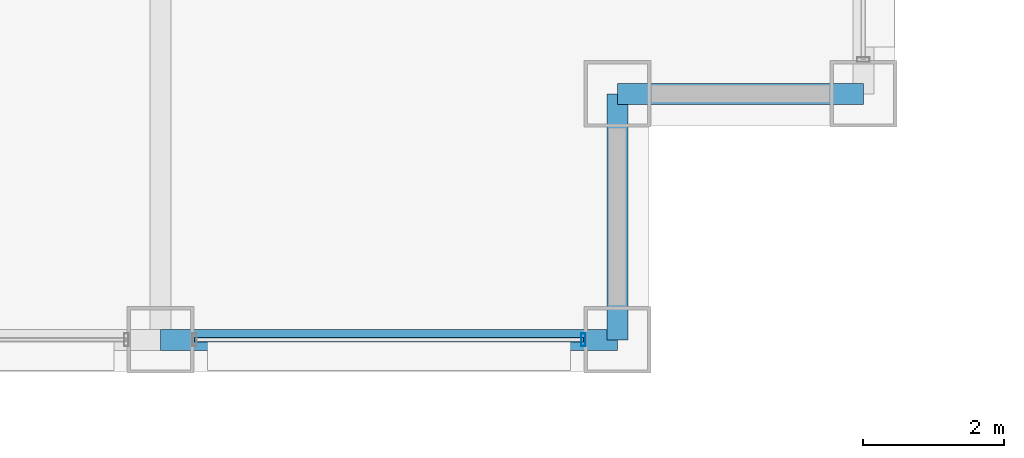
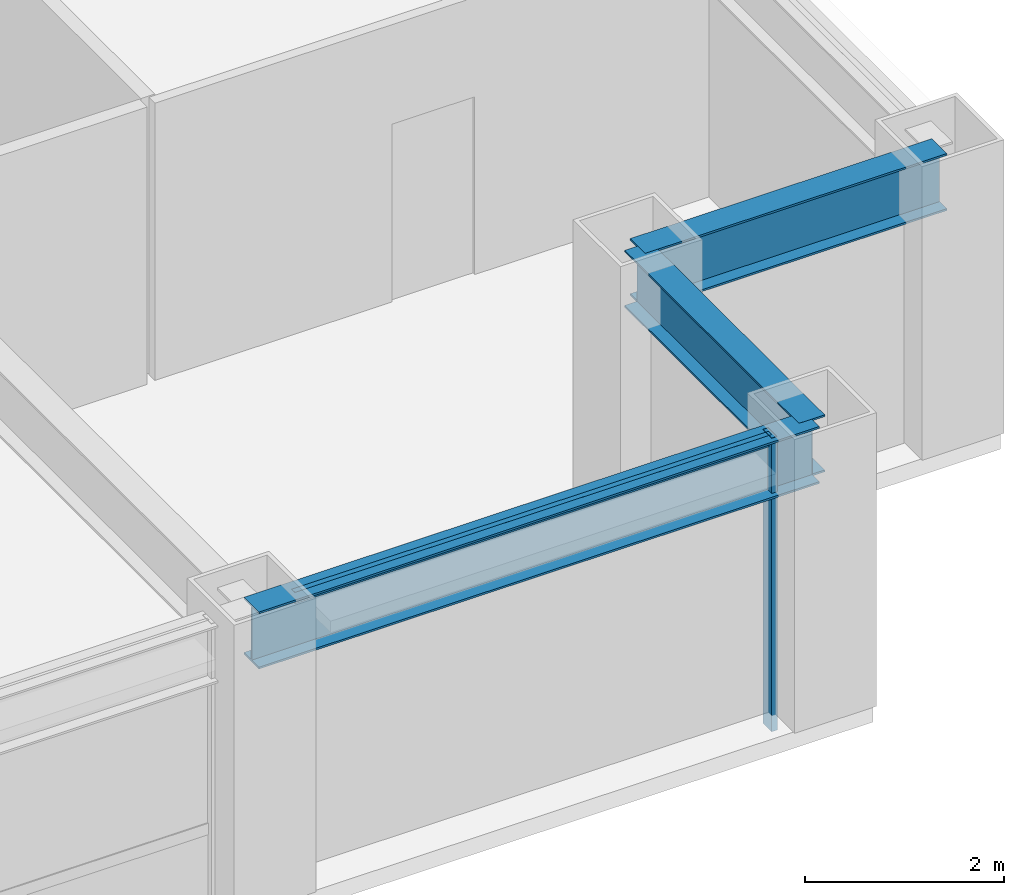
# One storey, part 10 of 31: 3 beams, 2 members, 1 element without a shape of its own.
"""IFC4 building model written with IfcOpenShell, lengths in metres."""

from ifc_helpers import new_model, si_unit, direction, frame, origin, origin_2d, place, context, subcontext, project, spatial, hollow_rectangle, i_section, extrude, material, layer, layer_set, material_profile, profile_set, type_object, element, aggregate, save


model = new_model("IFC4")

# Units and contexts
model_context = context("Model", 3, precision=1e-05, world=origin(), true_north=direction((0.0, 1.0)))
body_context = subcontext(model_context, "Body", "Model", "MODEL_VIEW")
ifc_project = project(units=[si_unit("LENGTHUNIT", "METRE"), si_unit("AREAUNIT", "SQUARE_METRE"), si_unit("VOLUMEUNIT", "CUBIC_METRE"), si_unit("PLANEANGLEUNIT", "RADIAN"), si_unit("MASSUNIT", "GRAM", prefix="KILO")], contexts=[model_context])

# Site, building, storey
site_placement = place(None, origin())
site = spatial("IfcSite", under=ifc_project, at=site_placement, CompositionType="ELEMENT")
building_placement = place(site_placement, origin())
building = spatial("IfcBuilding", under=site, at=building_placement, Name="Brelmoor Portico Tower", CompositionType="ELEMENT")
storey_placement = place(building_placement, frame((0.0, 0.0, 38.39990234375)))
storey = spatial("IfcBuildingStorey", under=building, at=storey_placement, Name="L09", CompositionType="ELEMENT", Elevation=38.39990234375)

# Beams
ifc_material_1 = material(Name="Steel Q355B", Category="steel")
ifc_material_profile_1 = material_profile(ifc_material_1, i_section(OverallWidth=0.300048828125, OverallDepth=0.699951171875, WebThickness=0.012939453125, FlangeThickness=0.02392578125, at=origin_2d()), Name="HN 700x300x13x24")
ifc_profile_set_1 = profile_set([ifc_material_profile_1], Name="Steel Q355B")
beam_type = type_object("IfcBeamType", Name="BM-SP-700", PredefinedType="SPANDREL", material=ifc_profile_set_1)
beam_placement = place(storey_placement, frame((14.550048828125, -21.550048828125, 3.050048828125), z_axis=(1.0, 0.0, 0.0), x_axis=(0.0, 1.0, 0.0)))
element("IfcBeam", 1, at=beam_placement, inside=storey, type_object=beam_type, Name="L09 Perimeter Spandrel Beam SP-05", PredefinedType="SPANDREL", context=body_context, shape_type="SweptSolid", body=[
    extrude(i_section(OverallWidth=0.300048828125, OverallDepth=0.699951171875, WebThickness=0.012939453125, FlangeThickness=0.02392578125, at=origin_2d()), origin(), (0.0, 0.0, 1.0), 6.5),
])
for number, where, z_axis, x_axis, name in (
    (2, (21.050048828125, -18.050048828125, 3.050048828125), (1.0, 0.0, 0.0), (0.0, 1.0, 0.0), "L09 Perimeter Spandrel Beam SP-07"),
    (3, (21.050048828125, -21.550048828125, 3.050048828125), (0.0, 1.0, 0.0), (-1.0, 0.0, 0.0), "L09 Perimeter Spandrel Beam SP-20"),
):
    element("IfcBeam", number, at=place(storey_placement, frame(where, z_axis=z_axis, x_axis=x_axis)), inside=storey, type_object=beam_type, Name=name, PredefinedType="SPANDREL", context=body_context, shape_type="SweptSolid", body=[
        extrude(i_section(OverallWidth=0.300048828125, OverallDepth=0.699951171875, WebThickness=0.012939453125, FlangeThickness=0.02392578125, at=origin_2d()), origin(), (0.0, 0.0, 1.0), 3.5),
    ])

# Curtain wall, members
ifc_material_2 = material(Name="Anodised Aluminium Alloy 6063-T6", Category="aluminium")
ifc_layer = layer(ifc_material_2, 0.179931640625)
ifc_layer_set = layer_set([ifc_layer], Name="Anodised Aluminium Alloy 6063-T6")
curtain_wall_type = type_object("IfcCurtainWallType", Name="CW-TOWER-Z1-XB", PredefinedType="NOTDEFINED", material=ifc_layer_set)
curtain_wall_placement = place(storey_placement, origin())
curtain_wall = element("IfcCurtainWall", 4, at=curtain_wall_placement, inside=storey, type_object=curtain_wall_type, Name="L09 Curtain Wall CW-L09-1R-3", PredefinedType="NOTDEFINED")
ifc_material_profile_2 = material_profile(ifc_material_2, hollow_rectangle(XDim=0.06494140625, YDim=0.179931640625, WallThickness=0.00390625, at=origin_2d()), Name="ALU MULLION 65x180")
ifc_profile_set_2 = profile_set([ifc_material_profile_2], Name="Anodised Aluminium Alloy 6063-T6")
member_type_1 = type_object("IfcMemberType", Name="MB-CW-MULL-180", PredefinedType="MULLION", material=ifc_profile_set_2)
member_1_placement = place(storey_placement, frame((20.56494140625, -21.550048828125, -0.199951171875), z_axis=(0.0, 0.0, 1.0), x_axis=(1.0, 0.0, 0.0)))
member_1 = element("IfcMember", 5, at=member_1_placement, type_object=member_type_1, Name="CW-L09-1R-3 Mullion 01", PredefinedType="MULLION", context=body_context, shape_type="SweptSolid", body=[
    extrude(hollow_rectangle(XDim=0.06494140625, YDim=0.179931640625, WallThickness=0.00390625, at=origin_2d()), origin(), (0.0, 0.0, 1.0), 3.60009765625),
])
ifc_material_profile_3 = material_profile(ifc_material_2, hollow_rectangle(XDim=0.06494140625, YDim=0.139892578125, WallThickness=0.00390625, at=origin_2d()), Name="ALU TRANSOM 65x140")
ifc_profile_set_3 = profile_set([ifc_material_profile_3], Name="Anodised Aluminium Alloy 6063-T6")
member_type_2 = type_object("IfcMemberType", Name="MB-CW-TRAN-140", PredefinedType="USERDEFINED", material=ifc_profile_set_3)
member_2_placement = place(storey_placement, frame((15.034912109375, -21.550048828125, 3.330078125), z_axis=(1.0, 0.0, 0.0), x_axis=(0.0, 1.0, 0.0)))
member_2 = element("IfcMember", 6, at=member_2_placement, type_object=member_type_2, Name="CW-L09-1R-3 Transom 1-00", ObjectType="TRANSOM", PredefinedType="USERDEFINED", context=body_context, shape_type="SweptSolid", body=[
    extrude(hollow_rectangle(XDim=0.06494140625, YDim=0.139892578125, WallThickness=0.00390625, at=origin_2d()), origin(), (0.0, 0.0, 1.0), 5.530029296875),
])
aggregate(curtain_wall, [member_1, member_2])

save(model, "model.ifc")
